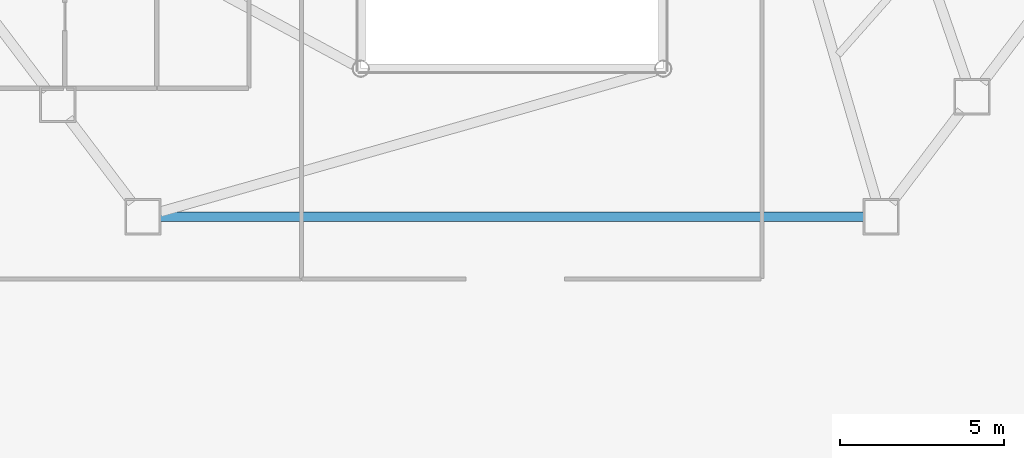
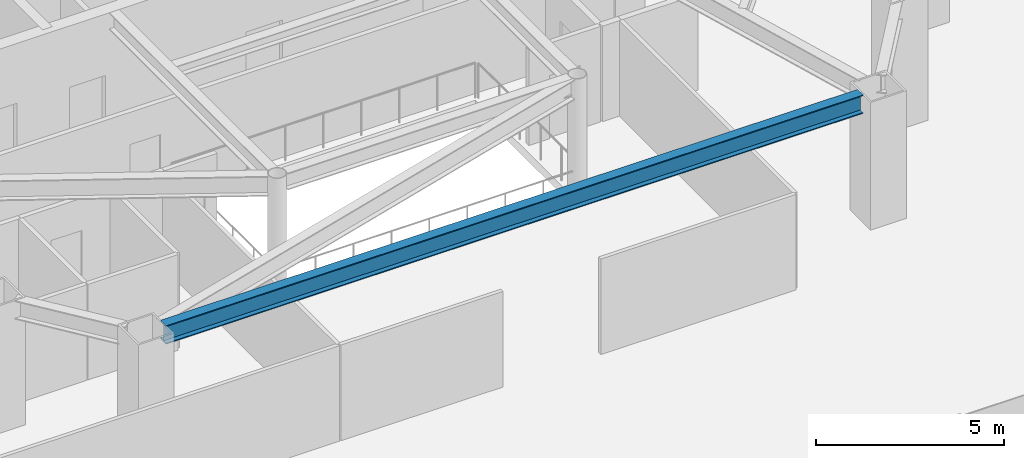
# One storey, part 14 of 37: 1 beam.
"""IFC4 building model written with IfcOpenShell, lengths in metres."""

from ifc_helpers import new_model, si_unit, direction, frame, origin, origin_2d, place, context, subcontext, project, spatial, i_section, extrude, material, material_profile, profile_set, type_object, element, save


model = new_model("IFC4")

# Units and contexts
model_context = context("Model", 3, precision=1e-05, world=origin(), true_north=direction((0.0, 1.0)))
body_context = subcontext(model_context, "Body", "Model", "MODEL_VIEW")
ifc_project = project(units=[si_unit("LENGTHUNIT", "METRE"), si_unit("AREAUNIT", "SQUARE_METRE"), si_unit("VOLUMEUNIT", "CUBIC_METRE"), si_unit("PLANEANGLEUNIT", "RADIAN"), si_unit("MASSUNIT", "GRAM", prefix="KILO")], contexts=[model_context])

# Site, building, storey
site_placement = place(None, origin())
site = spatial("IfcSite", under=ifc_project, at=site_placement, CompositionType="ELEMENT")
building_placement = place(site_placement, origin())
building = spatial("IfcBuilding", under=site, at=building_placement, Name="Zarrinselat Tower", CompositionType="ELEMENT")
storey_placement = place(building_placement, frame((0.0, 0.0, 13.93994140625)))
storey = spatial("IfcBuildingStorey", under=building, at=storey_placement, Name="L03", CompositionType="ELEMENT", Elevation=13.93994140625)

# Beam
ifc_material = material(Name="Steel S355J2", Category="steel")
ifc_material_profile = material_profile(ifc_material, i_section(OverallWidth=0.300048828125, OverallDepth=0.60009765625, WebThickness=0.015380859375, FlangeThickness=0.030029296875, at=origin_2d()), Name="HEB 600")
ifc_profile_set = profile_set([ifc_material_profile], Name="Steel S355J2")
beam_type = type_object("IfcBeamType", Name="BM-HEB600", PredefinedType="BEAM", material=ifc_profile_set)
beam_placement = place(storey_placement, frame((27.7109375, 19.89599609375, 3.840087890625), z_axis=(1.0, 0.0, 0.0), x_axis=(0.0, 1.0, 0.0)))
element("IfcBeam", 1, at=beam_placement, inside=storey, type_object=beam_type, Name="L03 Perimeter Spandrel Girder SP10", PredefinedType="BEAM", context=body_context, shape_type="SweptSolid", body=[
    extrude(i_section(OverallWidth=0.300048828125, OverallDepth=0.60009765625, WebThickness=0.015380859375, FlangeThickness=0.030029296875, at=origin_2d()), origin(), (0.0, 0.0, 1.0), 21.378173828125),
])

save(model, "model.ifc")
